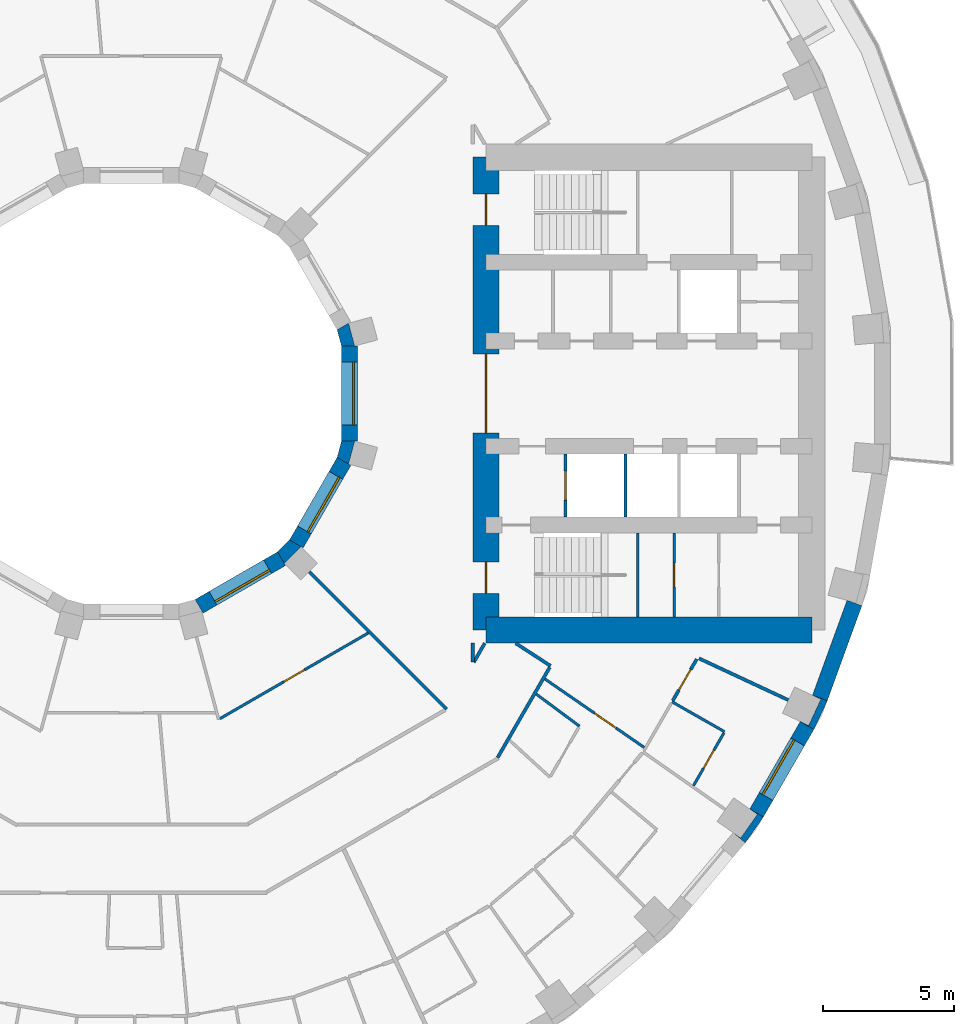
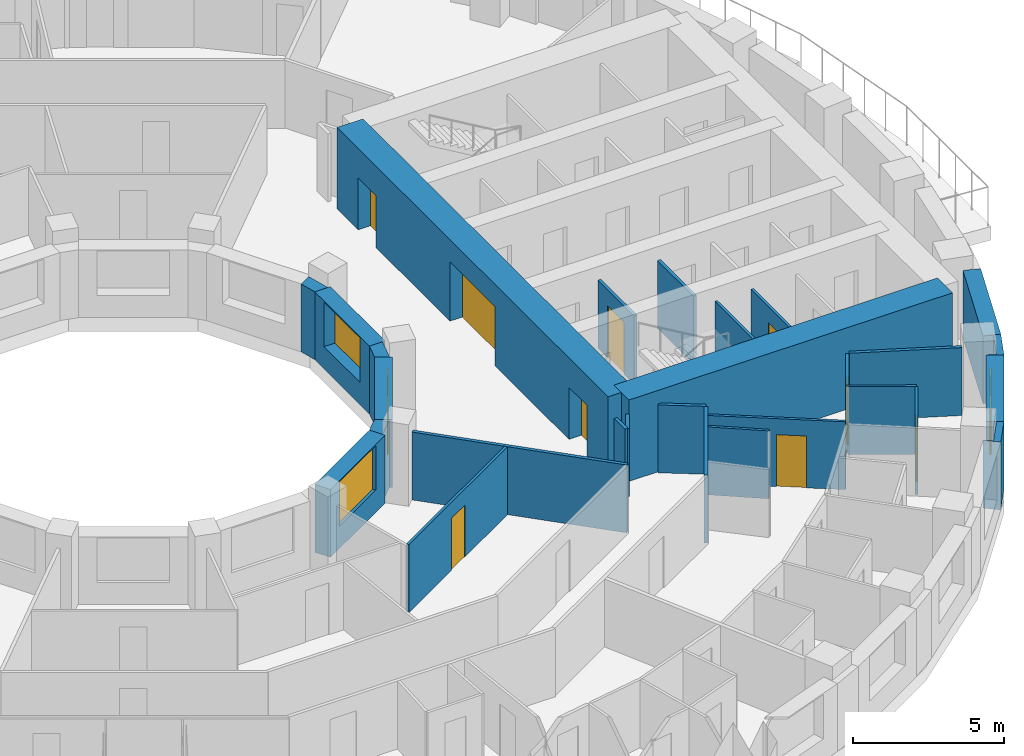
# One storey, part 8 of 15: 28 walls, 9 doors, 4 windows, 13 openings.
"""IFC4 building model written with IfcOpenShell, lengths in metres."""

from ifc_helpers import new_model, si_unit, direction, frame, frame_2d, origin, place, context, subcontext, project, spatial, polyline, rectangle, outline, extrude, material, layer, layer_set, type_object, element, fill, save


model = new_model("IFC4")

# Units and contexts
model_context = context("Model", 3, precision=1e-05, world=origin(), true_north=direction((0.0, 1.0)))
body_context = subcontext(model_context, "Body", "Model", "MODEL_VIEW")
ifc_project = project(units=[si_unit("LENGTHUNIT", "METRE"), si_unit("AREAUNIT", "SQUARE_METRE"), si_unit("VOLUMEUNIT", "CUBIC_METRE"), si_unit("PLANEANGLEUNIT", "RADIAN"), si_unit("MASSUNIT", "GRAM", prefix="KILO")], contexts=[model_context])

# Site, building, storey
site_placement = place(None, origin())
site = spatial("IfcSite", under=ifc_project, at=site_placement, CompositionType="ELEMENT")
building_placement = place(site_placement, origin())
building = spatial("IfcBuilding", under=site, at=building_placement, Name="Saqina Gate Tower", CompositionType="ELEMENT")
storey_placement = place(building_placement, frame((0.0, 0.0, 62.60009765625)))
storey = spatial("IfcBuildingStorey", under=building, at=storey_placement, Name="L17", CompositionType="ELEMENT", Elevation=62.60009765625)

# Walls
ifc_material_1 = material(Name="Brick masonry (red)", Category="masonry")
wall_type_1 = type_object("IfcWallType", Name="BRICK PIER COPING RED", PredefinedType="SOLIDWALL", material=ifc_material_1)
wall_1_placement = place(storey_placement, origin())
element("IfcWall", 1, at=wall_1_placement, inside=storey, type_object=wall_type_1, Name="Pier cap L17 column 33", PredefinedType="SOLIDWALL", context=body_context, shape_type="SweptSolid", body=[
    extrude(outline(polyline([(23.36669921875, -17.096923828125), (24.0576171875, -16.110107421875), (23.5380859375, -15.81005859375), (23.8251953125, -16.010986328125), (23.194091796875, -16.912109375), (22.9072265625, -16.711181640625), (23.36669921875, -17.096923828125)])), origin(), (0.0, 0.0, 1.0), 2.75),
])
wall_2_placement = place(storey_placement, origin())
element("IfcWall", 2, at=wall_2_placement, inside=storey, type_object=wall_type_1, Name="Pier cap L17 column 34", PredefinedType="SOLIDWALL", context=body_context, shape_type="SweptSolid", body=[
    extrude(outline(polyline([(26.48974609375, -11.687744140625), (25.92578125, -11.482666015625), (26.243408203125, -11.630615234375), (25.778564453125, -12.627685546875), (25.4609375, -12.4794921875), (25.980712890625, -12.779541015625), (26.48974609375, -11.687744140625)])), origin(), (0.0, 0.0, 1.0), 2.75),
])

# Wall, opening, door
ifc_material_2 = material(Name="Gypsum board on steel studs", Category="steel")
ifc_layer_1 = layer(ifc_material_2, 0.10009765625)
ifc_layer_set_1 = layer_set([ifc_layer_1], Name="CORE PARTITION")
wall_type_2 = type_object("IfcWallType", Name="CORE PARTITION", PredefinedType="PARTITIONING", material=ifc_layer_set_1)
wall_3_placement = place(storey_placement, frame((20.65771484375, -8.5, 0.0), z_axis=(0.0, 0.0, 1.0), x_axis=(0.0, 1.0, 0.0)))
wall_3 = element("IfcWall", 3, at=wall_3_placement, inside=storey, type_object=wall_type_2, Name="L17-CP-E13", PredefinedType="PARTITIONING", context=body_context, shape_type="SweptSolid", body=[
    extrude(rectangle(XDim=3.199951171875, YDim=0.10009765625, at=frame_2d((1.60009765625, 0.0))), origin(), (0.0, 0.0, 1.0), 2.75),
])
opening_1_placement = place(wall_3_placement, frame((1.14990234375, 0.0, 0.0)))
opening_1 = element("IfcOpeningElement", 4, at=opening_1_placement, cuts=wall_3, Name="Opening G04-D100", PredefinedType="OPENING", context=body_context, shape_type="SweptSolid", body=[
    extrude(rectangle(XDim=0.89990234375, YDim=2.10009765625, at=frame_2d((0.449951171875, 1.050048828125))), frame((0.0, 0.06201171875, 0.0), z_axis=(0.0, -1.0, 0.0), x_axis=(1.0, 0.0, 0.0)), (0.0, 0.0, 1.0), 0.1240234375),
])
ifc_material_3 = material(Name="Steel-framed fire door leaf, EI 60", Category="steel")
door_type_1 = type_object("IfcDoorType", Name="SERVICE ROOM DOOR 900", OperationType="SINGLE_SWING_LEFT", PredefinedType="DOOR", material=ifc_material_3)
door_1_placement = place(opening_1_placement, frame((0.89990234375, 0.0, 0.0), z_axis=(0.0, 0.0, 1.0), x_axis=(-1.0, 0.0, 0.0)))
door_1 = element("IfcDoor", 5, at=door_1_placement, inside=storey, type_object=door_type_1, Name="L17-CD-E11", OperationType="SINGLE_SWING_RIGHT", OverallHeight=2.10009765625, OverallWidth=0.89990234375, PredefinedType="DOOR", context=body_context, shape_type="SweptSolid", body=[
    extrude(rectangle(XDim=0.89990234375, YDim=2.10009765625, at=frame_2d((0.449951171875, 1.050048828125))), frame((0.0, 0.02490234375, 0.0), z_axis=(0.0, -1.0, 0.0), x_axis=(1.0, 0.0, 0.0)), (0.0, 0.0, 1.0), 0.050048828125),
])
fill(opening_1, door_1)

# Wall, opening, window
ifc_material_4 = material(Name="Brick masonry (red)", Category="masonry")
ifc_layer_2 = layer(ifc_material_4, 0.60009765625)
ifc_layer_set_2 = layer_set([ifc_layer_2], Name="FW-BRICK-RED")
wall_type_3 = type_object("IfcWallType", Name="FW-BRICK-RED", PredefinedType="SOLIDWALL", material=ifc_layer_set_2)
wall_4_placement = place(storey_placement, frame((23.7978515625, -15.960205078125, 0.0), z_axis=(0.0, 0.0, 1.0), x_axis=(0.499989888488, 0.86603124159, 0.0)))
wall_4 = element("IfcWall", 6, at=wall_4_placement, inside=storey, type_object=wall_type_3, Name="Facade wall L17 facet 33", PredefinedType="SOLIDWALL", context=body_context, shape_type="SweptSolid", body=[
    extrude(rectangle(XDim=3.845703125, YDim=0.60009765625, at=frame_2d((1.9228515625, 0.0))), origin(), (0.0, 0.0, 1.0), 2.75),
])
opening_2_placement = place(wall_4_placement, frame((0.722900390625, 0.0, 0.89990234375)))
opening_2 = element("IfcOpeningElement", 7, at=opening_2_placement, cuts=wall_4, Name="Opening G04-W23", PredefinedType="OPENING", context=body_context, shape_type="SweptSolid", body=[
    extrude(rectangle(XDim=2.39990234375, YDim=1.800048828125, at=frame_2d((1.199951171875, 0.89990234375))), frame((0.0, 0.31201171875, 0.0), z_axis=(0.0, -1.0, 0.0), x_axis=(1.0, 0.0, 0.0)), (0.0, 0.0, 1.0), 0.6240234375),
])
ifc_material_5 = material(Name="Aluminium glazing", Category="aluminium")
window_type_1 = type_object("IfcWindowType", Name="WN-A", PartitioningType="SINGLE_PANEL", PredefinedType="WINDOW", material=ifc_material_5)
window_1_placement = place(opening_2_placement, origin())
window_1 = element("IfcWindow", 8, at=window_1_placement, inside=storey, type_object=window_type_1, Name="Window L17 facet 33", OverallHeight=1.800048828125, OverallWidth=2.39990234375, PartitioningType="SINGLE_PANEL", PredefinedType="WINDOW", context=body_context, shape_type="SweptSolid", body=[
    extrude(rectangle(XDim=2.39990234375, YDim=1.800048828125, at=frame_2d((1.199951171875, 0.89990234375))), frame((0.0, 0.179931640625, 0.0), z_axis=(0.0, -1.0, 0.0), x_axis=(1.0, 0.0, 0.0)), (0.0, 0.0, 1.0), 0.06005859375),
])
fill(opening_2, window_1)

# Wall
ifc_material_6 = material(Name="Glazed ceramic tile", Category="ceramic")
ifc_layer_3 = layer(ifc_material_6, 0.60009765625)
ifc_layer_set_3 = layer_set([ifc_layer_3], Name="FW-TILE")
wall_type_4 = type_object("IfcWallType", Name="FW-TILE", PredefinedType="SOLIDWALL", material=ifc_layer_set_3)
wall_5_placement = place(storey_placement, frame((26.207763671875, -11.585205078125, 0.0), z_axis=(0.0, 0.0, 1.0), x_axis=(0.342028474173, 0.939689588564, 0.0)))
element("IfcWall", 9, at=wall_5_placement, inside=storey, type_object=wall_type_4, Name="Facade wall L17 facet 34", PredefinedType="SOLIDWALL", context=body_context, shape_type="SweptSolid", body=[
    extrude(rectangle(XDim=3.845947265625, YDim=0.60009765625, at=frame_2d((1.9228515625, 0.0))), origin(), (0.0, 0.0, 1.0), 2.75),
])

# Wall, opening, window
ifc_material_7 = material(Name="Glazed ceramic tile", Category="ceramic")
ifc_layer_4 = layer(ifc_material_7, 0.60009765625)
ifc_layer_set_4 = layer_set([ifc_layer_4], Name="IW-TILE")
wall_type_5 = type_object("IfcWallType", Name="IW-TILE", PredefinedType="SOLIDWALL", material=ifc_layer_set_4)
wall_6_placement = place(storey_placement, frame((2.580322265625, -8.09423828125, 0.0), z_axis=(0.0, 0.0, 1.0), x_axis=(0.866029693906, 0.499992569217, 0.0)))
wall_6 = element("IfcWall", 10, at=wall_6_placement, inside=storey, type_object=wall_type_5, Name="Well wall L17 facet 10", PredefinedType="SOLIDWALL", context=body_context, shape_type="SweptSolid", body=[
    extrude(rectangle(XDim=3.625, YDim=0.60009765625, at=frame_2d((1.8125, 0.0))), origin(), (0.0, 0.0, 1.0), 2.75),
])
opening_3_placement = place(wall_6_placement, frame((0.612548828125, 0.0, 0.89990234375)))
opening_3 = element("IfcOpeningElement", 11, at=opening_3_placement, cuts=wall_6, Name="Opening G04-W33", PredefinedType="OPENING", context=body_context, shape_type="SweptSolid", body=[
    extrude(rectangle(XDim=2.39990234375, YDim=1.800048828125, at=frame_2d((1.199951171875, 0.89990234375))), frame((0.0, 0.31201171875, 0.0), z_axis=(0.0, -1.0, 0.0), x_axis=(1.0, 0.0, 0.0)), (0.0, 0.0, 1.0), 0.6240234375),
])
ifc_material_8 = material(Name="Aluminium glazing", Category="aluminium")
window_type_2 = type_object("IfcWindowType", Name="WN-W", PartitioningType="SINGLE_PANEL", PredefinedType="WINDOW", material=ifc_material_8)
window_2_placement = place(opening_3_placement, origin())
window_2 = element("IfcWindow", 12, at=window_2_placement, inside=storey, type_object=window_type_2, Name="Well window L17 facet 10", OverallHeight=1.800048828125, OverallWidth=2.39990234375, PartitioningType="SINGLE_PANEL", PredefinedType="WINDOW", context=body_context, shape_type="SweptSolid", body=[
    extrude(rectangle(XDim=2.39990234375, YDim=1.800048828125, at=frame_2d((1.199951171875, 0.89990234375))), frame((0.0, -0.119873046875, 0.0), z_axis=(0.0, -1.0, 0.0), x_axis=(1.0, 0.0, 0.0)), (0.0, 0.0, 1.0), 0.06005859375),
])
fill(opening_3, window_2)

wall_7_placement = place(storey_placement, frame((6.28173828125, -5.7197265625, 0.0), z_axis=(0.0, 0.0, 1.0), x_axis=(0.499992569217, 0.866029693906, 0.0)))
wall_7 = element("IfcWall", 13, at=wall_7_placement, inside=storey, type_object=wall_type_5, Name="Well wall L17 facet 11", PredefinedType="SOLIDWALL", context=body_context, shape_type="SweptSolid", body=[
    extrude(rectangle(XDim=3.625, YDim=0.60009765625, at=frame_2d((1.8125, 0.0))), origin(), (0.0, 0.0, 1.0), 2.75),
])
opening_4_placement = place(wall_7_placement, frame((0.612548828125, 0.0, 0.89990234375)))
opening_4 = element("IfcOpeningElement", 14, at=opening_4_placement, cuts=wall_7, Name="Opening G04-W34", PredefinedType="OPENING", context=body_context, shape_type="SweptSolid", body=[
    extrude(rectangle(XDim=2.39990234375, YDim=1.800048828125, at=frame_2d((1.199951171875, 0.89990234375))), frame((0.0, 0.31201171875, 0.0), z_axis=(0.0, -1.0, 0.0), x_axis=(1.0, 0.0, 0.0)), (0.0, 0.0, 1.0), 0.6240234375),
])
window_3_placement = place(opening_4_placement, origin())
window_3 = element("IfcWindow", 15, at=window_3_placement, inside=storey, type_object=window_type_2, Name="Well window L17 facet 11", OverallHeight=1.800048828125, OverallWidth=2.39990234375, PartitioningType="SINGLE_PANEL", PredefinedType="WINDOW", context=body_context, shape_type="SweptSolid", body=[
    extrude(rectangle(XDim=2.39990234375, YDim=1.800048828125, at=frame_2d((1.199951171875, 0.89990234375))), frame((0.0, -0.119873046875, 0.0), z_axis=(0.0, -1.0, 0.0), x_axis=(1.0, 0.0, 0.0)), (0.0, 0.0, 1.0), 0.06005859375),
])
fill(opening_4, window_3)

wall_8_placement = place(storey_placement, frame((8.300048828125, -1.8125, 0.0), z_axis=(0.0, 0.0, 1.0), x_axis=(0.0, 1.0, 0.0)))
wall_8 = element("IfcWall", 16, at=wall_8_placement, inside=storey, type_object=wall_type_5, Name="Well wall L17 facet 12", PredefinedType="SOLIDWALL", context=body_context, shape_type="SweptSolid", body=[
    extrude(rectangle(XDim=3.625, YDim=0.60009765625, at=frame_2d((1.8125, 0.0))), origin(), (0.0, 0.0, 1.0), 2.75),
])
opening_5_placement = place(wall_8_placement, frame((0.612548828125, 0.0, 0.89990234375)))
opening_5 = element("IfcOpeningElement", 17, at=opening_5_placement, cuts=wall_8, Name="Opening G04-W35", PredefinedType="OPENING", context=body_context, shape_type="SweptSolid", body=[
    extrude(rectangle(XDim=2.39990234375, YDim=1.800048828125, at=frame_2d((1.199951171875, 0.89990234375))), frame((0.0, 0.31201171875, 0.0), z_axis=(0.0, -1.0, 0.0), x_axis=(1.0, 0.0, 0.0)), (0.0, 0.0, 1.0), 0.6240234375),
])
window_4_placement = place(opening_5_placement, origin())
window_4 = element("IfcWindow", 18, at=window_4_placement, inside=storey, type_object=window_type_2, Name="Well window L17 facet 12", OverallHeight=1.800048828125, OverallWidth=2.39990234375, PartitioningType="SINGLE_PANEL", PredefinedType="WINDOW", context=body_context, shape_type="SweptSolid", body=[
    extrude(rectangle(XDim=2.39990234375, YDim=1.800048828125, at=frame_2d((1.199951171875, 0.89990234375))), frame((0.0, -0.119873046875, 0.0), z_axis=(0.0, -1.0, 0.0), x_axis=(1.0, 0.0, 0.0)), (0.0, 0.0, 1.0), 0.06005859375),
])
fill(opening_5, window_4)

# Wall
ifc_material_9 = material(Name="Gypsum board on steel studs, 100 mm", Category="steel")
ifc_layer_5 = layer(ifc_material_9, 0.10009765625)
ifc_layer_set_5 = layer_set([ifc_layer_5], Name="PARTITION 100")
wall_type_6 = type_object("IfcWallType", Name="PARTITION 100", PredefinedType="PARTITIONING", material=ifc_layer_set_5)
wall_9_placement = place(storey_placement, frame((15.41015625, -11.433349609375, 0.0), z_axis=(0.0, 0.0, 1.0), x_axis=(0.802890347471, -0.596126739827, 0.0)))
element("IfcWall", 19, at=wall_9_placement, inside=storey, type_object=wall_type_6, Name="PARTITION PW3-35", PredefinedType="PARTITIONING", context=body_context, shape_type="SweptSolid", body=[
    extrude(rectangle(XDim=2.051025390625, YDim=0.10009765625, at=frame_2d((1.025390625, 0.0))), origin(), (0.0, 0.0, 1.0), 2.75),
])

# Wall, opening, door
wall_10_placement = place(storey_placement, frame((15.74169921875, -10.859619140625, 0.0), z_axis=(0.0, 0.0, 1.0), x_axis=(0.823211072174, -0.56773544072, 0.0)))
wall_10 = element("IfcWall", 20, at=wall_10_placement, inside=storey, type_object=wall_type_6, Name="PARTITION PW3-38", PredefinedType="PARTITIONING", context=body_context, shape_type="SweptSolid", body=[
    extrude(rectangle(XDim=4.591796875, YDim=0.10009765625, at=frame_2d((2.2958984375, 0.0))), origin(), (0.0, 0.0, 1.0), 2.75),
])
opening_6_placement = place(wall_10_placement, frame((2.28955078125, 0.0, 0.0)))
opening_6 = element("IfcOpeningElement", 21, at=opening_6_placement, cuts=wall_10, Name="Opening G04-D66", PredefinedType="OPENING", context=body_context, shape_type="SweptSolid", body=[
    extrude(rectangle(XDim=1.0, YDim=2.10009765625, at=frame_2d((0.5, 1.050048828125))), frame((0.0, 0.06201171875, 0.0), z_axis=(0.0, -1.0, 0.0), x_axis=(1.0, 0.0, 0.0)), (0.0, 0.0, 1.0), 0.1240234375),
])
ifc_material_10 = material(Name="Timber door leaf, 1000 mm", Category="wood")
door_type_2 = type_object("IfcDoorType", Name="DOOR 1000 TIMBER", OperationType="SINGLE_SWING_LEFT", PredefinedType="DOOR", material=ifc_material_10)
door_2_placement = place(opening_6_placement, frame((1.0, 0.0, 0.0), z_axis=(0.0, 0.0, 1.0), x_axis=(-1.0, 0.0, 0.0)))
door_2 = element("IfcDoor", 22, at=door_2_placement, inside=storey, type_object=door_type_2, Name="DOOR G04-D66", OperationType="SINGLE_SWING_RIGHT", OverallHeight=2.10009765625, OverallWidth=1.0, PredefinedType="DOOR", context=body_context, shape_type="SweptSolid", body=[
    extrude(rectangle(XDim=1.0, YDim=2.10009765625, at=frame_2d((0.5, 1.050048828125))), frame((0.0, 0.02490234375, 0.0), z_axis=(0.0, -1.0, 0.0), x_axis=(1.0, 0.0, 0.0)), (0.0, 0.0, 1.0), 0.050048828125),
])
fill(opening_6, door_2)

# Wall
wall_11_placement = place(storey_placement, frame((20.58203125, -11.72998046875, 0.0), z_axis=(0.0, 0.0, 1.0), x_axis=(0.868771789729, -0.495212658735, 0.0)))
element("IfcWall", 23, at=wall_11_placement, inside=storey, type_object=wall_type_6, Name="PARTITION PW3-46", PredefinedType="PARTITIONING", context=body_context, shape_type="SweptSolid", body=[
    extrude(rectangle(XDim=2.2998046875, YDim=0.10009765625, at=frame_2d((1.14990234375, 0.0))), origin(), (0.0, 0.0, 1.0), 2.75),
])

# Wall, opening, door
wall_12_placement = place(storey_placement, frame((3.3662109375, -12.375, 0.0), z_axis=(0.0, 0.0, 1.0), x_axis=(0.86596399252, 0.500106352348, 0.0)))
wall_12 = element("IfcWall", 24, at=wall_12_placement, inside=storey, type_object=wall_type_6, Name="PARTITION PW3-74", PredefinedType="PARTITIONING", context=body_context, shape_type="SweptSolid", body=[
    extrude(rectangle(XDim=6.5322265625, YDim=0.10009765625, at=frame_2d((3.26611328125, 0.0))), origin(), (0.0, 0.0, 1.0), 2.75),
])
opening_7_placement = place(wall_12_placement, frame((2.822265625, 0.0, 0.0)))
opening_7 = element("IfcOpeningElement", 25, at=opening_7_placement, cuts=wall_12, Name="Opening G04-D57", PredefinedType="OPENING", context=body_context, shape_type="SweptSolid", body=[
    extrude(rectangle(XDim=0.89990234375, YDim=2.10009765625, at=frame_2d((0.449951171875, 1.050048828125))), frame((0.0, 0.06201171875, 0.0), z_axis=(0.0, -1.0, 0.0), x_axis=(1.0, 0.0, 0.0)), (0.0, 0.0, 1.0), 0.1240234375),
])
ifc_material_11 = material(Name="Timber door leaf, 900 mm", Category="wood")
door_type_3 = type_object("IfcDoorType", Name="DOOR 900 TIMBER", OperationType="SINGLE_SWING_LEFT", PredefinedType="DOOR", material=ifc_material_11)
door_3_placement = place(opening_7_placement, frame((0.89990234375, 0.0, 0.0), z_axis=(0.0, 0.0, 1.0), x_axis=(-1.0, 0.0, 0.0)))
door_3 = element("IfcDoor", 26, at=door_3_placement, inside=storey, type_object=door_type_3, Name="DOOR G04-D57", OperationType="SINGLE_SWING_LEFT", OverallHeight=2.10009765625, OverallWidth=0.89990234375, PredefinedType="DOOR", context=body_context, shape_type="SweptSolid", body=[
    extrude(rectangle(XDim=0.89990234375, YDim=2.10009765625, at=frame_2d((0.449951171875, 1.050048828125))), frame((0.0, 0.02490234375, 0.0), z_axis=(0.0, -1.0, 0.0), x_axis=(1.0, 0.0, 0.0)), (0.0, 0.0, 1.0), 0.050048828125),
])
fill(opening_7, door_3)

wall_13_placement = place(storey_placement, frame((21.39599609375, -14.920654296875, 0.0), z_axis=(0.0, 0.0, 1.0), x_axis=(0.499819678633, 0.866129487347, 0.0)))
wall_13 = element("IfcWall", 27, at=wall_13_placement, inside=storey, type_object=wall_type_6, Name="PARTITION PW3-91", PredefinedType="PARTITIONING", context=body_context, shape_type="SweptSolid", body=[
    extrude(rectangle(XDim=2.318603515625, YDim=0.10009765625, at=frame_2d((1.1591796875, 0.0))), origin(), (0.0, 0.0, 1.0), 2.75),
])
opening_8_placement = place(wall_13_placement, frame((0.759521484375, 0.0, 0.0)))
opening_8 = element("IfcOpeningElement", 28, at=opening_8_placement, cuts=wall_13, Name="Opening G04-D67", PredefinedType="OPENING", context=body_context, shape_type="SweptSolid", body=[
    extrude(rectangle(XDim=0.800048828125, YDim=2.10009765625, at=frame_2d((0.39990234375, 1.050048828125))), frame((0.0, 0.06201171875, 0.0), z_axis=(0.0, -1.0, 0.0), x_axis=(1.0, 0.0, 0.0)), (0.0, 0.0, 1.0), 0.1240234375),
])
ifc_material_12 = material(Name="Timber door leaf, 800 mm", Category="wood")
door_type_4 = type_object("IfcDoorType", Name="DOOR 800 TIMBER", OperationType="SINGLE_SWING_LEFT", PredefinedType="DOOR", material=ifc_material_12)
door_4_placement = place(opening_8_placement, frame((0.800048828125, 0.0, 0.0), z_axis=(0.0, 0.0, 1.0), x_axis=(-1.0, 0.0, 0.0)))
door_4 = element("IfcDoor", 29, at=door_4_placement, inside=storey, type_object=door_type_4, Name="DOOR G04-D67", OperationType="SINGLE_SWING_RIGHT", OverallHeight=2.10009765625, OverallWidth=0.800048828125, PredefinedType="DOOR", context=body_context, shape_type="SweptSolid", body=[
    extrude(rectangle(XDim=0.800048828125, YDim=2.10009765625, at=frame_2d((0.39990234375, 1.050048828125))), frame((0.0, 0.02490234375, 0.0), z_axis=(0.0, -1.0, 0.0), x_axis=(1.0, 0.0, 0.0)), (0.0, 0.0, 1.0), 0.050048828125),
])
fill(opening_8, door_4)

# Walls
ifc_material_13 = material(Name="Gypsum board on steel studs, 125 mm, fire rated", Category="steel")
ifc_layer_6 = layer(ifc_material_13, 0.125)
ifc_layer_set_6 = layer_set([ifc_layer_6], Name="PARTITION EI 30 125")
wall_type_7 = type_object("IfcWallType", Name="PARTITION EI 30 125", PredefinedType="PARTITIONING", material=ifc_layer_set_6)
wall_14_placement = place(storey_placement, frame((6.78271484375, -6.78271484375, 0.0), z_axis=(0.0, 0.0, 1.0), x_axis=(0.707106781187, -0.707106781187, 0.0)))
element("IfcWall", 30, at=wall_14_placement, inside=storey, type_object=wall_type_7, Name="PARTITION PW1-06", PredefinedType="PARTITIONING", context=body_context, shape_type="SweptSolid", body=[
    extrude(rectangle(XDim=7.386962890625, YDim=0.125, at=frame_2d((3.693359375, 0.0))), origin(), (0.0, 0.0, 1.0), 2.75),
])
wall_15_placement = place(storey_placement, frame((14.62890625, -9.5, 0.0), z_axis=(0.0, 0.0, 1.0), x_axis=(0.838795721465, -0.544446267002, 0.0)))
element("IfcWall", 31, at=wall_15_placement, inside=storey, type_object=wall_type_7, Name="PARTITION PW1-09", PredefinedType="PARTITIONING", context=body_context, shape_type="SweptSolid", body=[
    extrude(rectangle(XDim=1.583251953125, YDim=0.125, at=frame_2d((0.79150390625, 0.0))), origin(), (0.0, 0.0, 1.0), 2.75),
])
wall_16_placement = place(storey_placement, frame((21.607666015625, -10.078369140625, 0.0), z_axis=(0.0, 0.0, 1.0), x_axis=(0.906339528383, -0.42255018553, 0.0)))
element("IfcWall", 32, at=wall_16_placement, inside=storey, type_object=wall_type_7, Name="PARTITION PW1-16", PredefinedType="PARTITIONING", context=body_context, shape_type="SweptSolid", body=[
    extrude(rectangle(XDim=3.74755859375, YDim=0.125, at=frame_2d((1.873779296875, 0.0))), origin(), (0.0, 0.0, 1.0), 2.75),
])

# Wall, opening, door
wall_17_placement = place(storey_placement, frame((20.60693359375, -11.686767578125, 0.0), z_axis=(0.0, 0.0, 1.0), x_axis=(0.500003827654, 0.866023193876, 0.0)))
wall_17 = element("IfcWall", 33, at=wall_17_placement, inside=storey, type_object=wall_type_7, Name="PARTITION PW1-46", PredefinedType="PARTITIONING", context=body_context, shape_type="SweptSolid", body=[
    extrude(rectangle(XDim=1.82763671875, YDim=0.125, at=frame_2d((0.913818359375, 0.0))), origin(), (0.0, 0.0, 1.0), 2.75),
])
opening_9_placement = place(wall_17_placement, frame((0.46875, 0.0, 0.0)))
opening_9 = element("IfcOpeningElement", 34, at=opening_9_placement, cuts=wall_17, Name="Opening G04-D68", PredefinedType="OPENING", context=body_context, shape_type="SweptSolid", body=[
    extrude(rectangle(XDim=0.89990234375, YDim=2.10009765625, at=frame_2d((0.449951171875, 1.050048828125))), frame((0.0, 0.074462890625, 0.0), z_axis=(0.0, -1.0, 0.0), x_axis=(1.0, 0.0, 0.0)), (0.0, 0.0, 1.0), 0.14892578125),
])
ifc_material_14 = material(Name="Fire door leaf EI 30, 900 mm")
door_type_5 = type_object("IfcDoorType", Name="DOOR 900 EI 30", OperationType="SINGLE_SWING_LEFT", PredefinedType="DOOR", material=ifc_material_14)
door_5_placement = place(opening_9_placement, origin())
door_5 = element("IfcDoor", 35, at=door_5_placement, inside=storey, type_object=door_type_5, Name="DOOR G04-D68", OperationType="SINGLE_SWING_RIGHT", OverallHeight=2.10009765625, OverallWidth=0.89990234375, PredefinedType="DOOR", context=body_context, shape_type="SweptSolid", body=[
    extrude(rectangle(XDim=0.89990234375, YDim=2.10009765625, at=frame_2d((0.449951171875, 1.050048828125))), frame((0.0, 0.02490234375, 0.0), z_axis=(0.0, -1.0, 0.0), x_axis=(1.0, 0.0, 0.0)), (0.0, 0.0, 1.0), 0.050048828125),
])
fill(opening_9, door_5)

# Walls
wall_18_placement = place(storey_placement, frame((13.940185546875, -13.85498046875, 0.0), z_axis=(0.0, 0.0, 1.0), x_axis=(0.500020477838, 0.866013580576, 0.0)))
element("IfcWall", 36, at=wall_18_placement, inside=storey, type_object=wall_type_7, Name="PARTITION PW1-47", PredefinedType="PARTITIONING", context=body_context, shape_type="SweptSolid", body=[
    extrude(rectangle(XDim=3.970947265625, YDim=0.125, at=frame_2d((1.9853515625, 0.0))), origin(), (0.0, 0.0, 1.0), 2.75),
])
wall_19_placement = place(storey_placement, frame((13.034912109375, -10.222412109375, 0.0), z_axis=(0.0, 0.0, 1.0), x_axis=(0.49991670217, 0.866073490468, 0.0)))
element("IfcWall", 37, at=wall_19_placement, inside=storey, type_object=wall_type_7, Name="PARTITION PW1-48", PredefinedType="PARTITIONING", context=body_context, shape_type="SweptSolid", body=[
    extrude(rectangle(XDim=0.834228515625, YDim=0.125, at=frame_2d((0.4169921875, 0.0))), origin(), (0.0, 0.0, 1.0), 2.75),
])
wall_20_placement = place(storey_placement, frame((13.0, -10.220458984375, 0.0), z_axis=(0.0, 0.0, 1.0), x_axis=(0.0, 1.0, 0.0)))
element("IfcWall", 38, at=wall_20_placement, inside=storey, type_object=wall_type_7, Name="PARTITION PW1-52", PredefinedType="PARTITIONING", context=body_context, shape_type="SweptSolid", body=[
    extrude(rectangle(XDim=0.720458984375, YDim=0.125, at=frame_2d((0.3603515625, 0.0))), origin(), (0.0, 0.0, 1.0), 2.75),
])

# Wall, opening, door
ifc_material_15 = material(Name="Autoclaved aerated concrete block", Category="concrete")
ifc_layer_7 = layer(ifc_material_15, 0.1201171875)
ifc_layer_set_7 = layer_set([ifc_layer_7], Name="SHAFT PARTITION")
wall_type_8 = type_object("IfcWallType", Name="SHAFT PARTITION", PredefinedType="PARTITIONING", material=ifc_layer_set_7)
wall_21_placement = place(storey_placement, frame((16.530029296875, -4.699951171875, 0.0), z_axis=(0.0, 0.0, 1.0), x_axis=(0.0, 1.0, 0.0)))
wall_21 = element("IfcWall", 39, at=wall_21_placement, inside=storey, type_object=wall_type_8, Name="L17-CP-E05", PredefinedType="PARTITIONING", context=body_context, shape_type="SweptSolid", body=[
    extrude(rectangle(XDim=2.39990234375, YDim=0.1201171875, at=frame_2d((1.199951171875, 0.0))), origin(), (0.0, 0.0, 1.0), 2.75),
])
opening_10_placement = place(wall_21_placement, frame((0.64990234375, 0.0, 0.0)))
opening_10 = element("IfcOpeningElement", 40, at=opening_10_placement, cuts=wall_21, Name="Opening G04-LD2", PredefinedType="OPENING", context=body_context, shape_type="SweptSolid", body=[
    extrude(rectangle(XDim=1.10009765625, YDim=2.10009765625, at=frame_2d((0.550048828125, 1.050048828125))), frame((0.0, 0.072021484375, 0.0), z_axis=(0.0, -1.0, 0.0), x_axis=(1.0, 0.0, 0.0)), (0.0, 0.0, 1.0), 0.14404296875),
])
ifc_material_16 = material(Name="Stainless steel", Category="steel")
door_type_6 = type_object("IfcDoorType", Name="LANDING DOOR", OperationType="DOUBLE_DOOR_SLIDING", PredefinedType="DOOR", material=ifc_material_16)
door_6_placement = place(opening_10_placement, origin())
door_6 = element("IfcDoor", 41, at=door_6_placement, inside=storey, type_object=door_type_6, Name="LANDING DOOR FF1", OperationType="DOUBLE_DOOR_SLIDING", OverallHeight=2.10009765625, OverallWidth=1.10009765625, PredefinedType="DOOR", context=body_context, shape_type="SweptSolid", body=[
    extrude(rectangle(XDim=1.10009765625, YDim=2.10009765625, at=frame_2d((0.550048828125, 1.050048828125))), frame((0.0, 0.02490234375, 0.0), z_axis=(0.0, -1.0, 0.0), x_axis=(1.0, 0.0, 0.0)), (0.0, 0.0, 1.0), 0.050048828125),
])
fill(opening_10, door_6)

# Walls
wall_22_placement = place(storey_placement, frame((18.81005859375, -4.699951171875, 0.0), z_axis=(0.0, 0.0, 1.0), x_axis=(0.0, 1.0, 0.0)))
element("IfcWall", 42, at=wall_22_placement, inside=storey, type_object=wall_type_8, Name="L17-CP-E06", PredefinedType="PARTITIONING", context=body_context, shape_type="SweptSolid", body=[
    extrude(rectangle(XDim=2.39990234375, YDim=0.1201171875, at=frame_2d((1.199951171875, 0.0))), origin(), (0.0, 0.0, 1.0), 2.75),
])
ifc_material_17 = material(Name="Autoclaved aerated concrete block", Category="concrete")
ifc_layer_8 = layer(ifc_material_17, 0.10009765625)
ifc_layer_set_8 = layer_set([ifc_layer_8], Name="STAIR ENCLOSURE WALL")
wall_type_9 = type_object("IfcWallType", Name="STAIR ENCLOSURE WALL", PredefinedType="PARTITIONING", material=ifc_layer_set_8)
wall_23_placement = place(storey_placement, frame((19.27001953125, -8.5, 0.0), z_axis=(0.0, 0.0, 1.0), x_axis=(0.0, 1.0, 0.0)))
element("IfcWall", 43, at=wall_23_placement, inside=storey, type_object=wall_type_9, Name="L17-CP-E12", PredefinedType="PARTITIONING", context=body_context, shape_type="SweptSolid", body=[
    extrude(rectangle(XDim=3.199951171875, YDim=0.10009765625, at=frame_2d((1.60009765625, 0.0))), origin(), (0.0, 0.0, 1.0), 2.75),
])

# Wall, openings, doors
ifc_material_18 = material(Name="Concrete C70/85", Category="concrete")
ifc_layer_9 = layer(ifc_material_18, 1.0)
ifc_layer_set_9 = layer_set([ifc_layer_9], Name="Concrete C70/85")
wall_type_10 = type_object("IfcWallType", Name="STR-CORE WALL-A-O", PredefinedType="SHEAR", material=ifc_layer_set_9)
wall_24_placement = place(storey_placement, frame((13.5, -9.0, 0.0), z_axis=(0.0, 0.0, 1.0), x_axis=(0.0, 1.0, 0.0)))
wall_24 = element("IfcWall", 44, at=wall_24_placement, inside=storey, type_object=wall_type_10, Name="CORE WALL L17 E-W1", PredefinedType="SHEAR", context=body_context, shape_type="SweptSolid", body=[
    extrude(rectangle(XDim=18.0, YDim=1.0, at=frame_2d((9.0, 0.0))), origin(), (0.0, 0.0, 1.0), 3.2998046875),
])
opening_11_placement = place(wall_24_placement, frame((15.39990234375, 0.0, 0.0)))
opening_11 = element("IfcOpeningElement", 45, at=opening_11_placement, cuts=wall_24, Name="Opening G04-D103", PredefinedType="OPENING", context=body_context, shape_type="SweptSolid", body=[
    extrude(rectangle(XDim=1.199951171875, YDim=2.10009765625, at=frame_2d((0.60009765625, 1.050048828125))), frame((0.0, 0.511962890625, 0.0), z_axis=(0.0, -1.0, 0.0), x_axis=(1.0, 0.0, 0.0)), (0.0, 0.0, 1.0), 1.02392578125),
])
opening_12_placement = place(wall_24_placement, frame((1.39990234375, 0.0, 0.0)))
opening_12 = element("IfcOpeningElement", 46, at=opening_12_placement, cuts=wall_24, Name="Opening G04-D104", PredefinedType="OPENING", context=body_context, shape_type="SweptSolid", body=[
    extrude(rectangle(XDim=1.199951171875, YDim=2.10009765625, at=frame_2d((0.60009765625, 1.050048828125))), frame((0.0, 0.511962890625, 0.0), z_axis=(0.0, -1.0, 0.0), x_axis=(1.0, 0.0, 0.0)), (0.0, 0.0, 1.0), 1.02392578125),
])
opening_13_placement = place(wall_24_placement, frame((7.5, 0.0, 0.0)))
opening_13 = element("IfcOpeningElement", 47, at=opening_13_placement, cuts=wall_24, Name="Opening G04-D105", PredefinedType="OPENING", context=body_context, shape_type="SweptSolid", body=[
    extrude(rectangle(XDim=3.0, YDim=2.39990234375, at=frame_2d((1.5, 1.199951171875))), frame((0.0, 0.511962890625, 0.0), z_axis=(0.0, -1.0, 0.0), x_axis=(1.0, 0.0, 0.0)), (0.0, 0.0, 1.0), 1.02392578125),
])
ifc_material_19 = material(Name="Steel", Category="steel")
door_type_7 = type_object("IfcDoorType", Name="FIRE DOOR EI 60", OperationType="SINGLE_SWING_LEFT", PredefinedType="DOOR", material=ifc_material_19)
door_7_placement = place(opening_11_placement, frame((1.199951171875, 0.0, 0.0), z_axis=(0.0, 0.0, 1.0), x_axis=(-1.0, 0.0, 0.0)))
door_7 = element("IfcDoor", 48, at=door_7_placement, inside=storey, type_object=door_type_7, Name="L17-CD-E14", OperationType="SINGLE_SWING_LEFT", OverallHeight=2.10009765625, OverallWidth=1.199951171875, PredefinedType="DOOR", context=body_context, shape_type="SweptSolid", body=[
    extrude(rectangle(XDim=1.199951171875, YDim=2.10009765625, at=frame_2d((0.60009765625, 1.050048828125))), frame((0.0, 0.02490234375, 0.0), z_axis=(0.0, -1.0, 0.0), x_axis=(1.0, 0.0, 0.0)), (0.0, 0.0, 1.0), 0.050048828125),
])
fill(opening_11, door_7)
door_8_placement = place(opening_12_placement, frame((1.199951171875, 0.0, 0.0), z_axis=(0.0, 0.0, 1.0), x_axis=(-1.0, 0.0, 0.0)))
door_8 = element("IfcDoor", 49, at=door_8_placement, inside=storey, type_object=door_type_7, Name="L17-CD-E15", OperationType="SINGLE_SWING_RIGHT", OverallHeight=2.10009765625, OverallWidth=1.199951171875, PredefinedType="DOOR", context=body_context, shape_type="SweptSolid", body=[
    extrude(rectangle(XDim=1.199951171875, YDim=2.10009765625, at=frame_2d((0.60009765625, 1.050048828125))), frame((0.0, 0.02490234375, 0.0), z_axis=(0.0, -1.0, 0.0), x_axis=(1.0, 0.0, 0.0)), (0.0, 0.0, 1.0), 0.050048828125),
])
fill(opening_12, door_8)
ifc_material_20 = material(Name="Steel and fire-resisting glass", Category="steel")
door_type_8 = type_object("IfcDoorType", Name="LOBBY SCREEN DOOR", OperationType="DOUBLE_DOOR_SLIDING", PredefinedType="DOOR", material=ifc_material_20)
door_9_placement = place(opening_13_placement, origin())
door_9 = element("IfcDoor", 50, at=door_9_placement, inside=storey, type_object=door_type_8, Name="L17-CD-E16", OperationType="DOUBLE_DOOR_SLIDING", OverallHeight=2.39990234375, OverallWidth=3.0, PredefinedType="DOOR", context=body_context, shape_type="SweptSolid", body=[
    extrude(rectangle(XDim=3.0, YDim=2.39990234375, at=frame_2d((1.5, 1.199951171875))), frame((0.0, 0.02490234375, 0.0), z_axis=(0.0, -1.0, 0.0), x_axis=(1.0, 0.0, 0.0)), (0.0, 0.0, 1.0), 0.050048828125),
])
fill(opening_13, door_9)

# Walls
wall_25_placement = place(storey_placement, frame((13.5, -9.0, 0.0), z_axis=(0.0, 0.0, 1.0), x_axis=(1.0, 0.0, 0.0)))
element("IfcWall", 51, at=wall_25_placement, inside=storey, type_object=wall_type_10, Name="CORE WALL L17 E-SE", PredefinedType="SHEAR", context=body_context, shape_type="SweptSolid", body=[
    extrude(rectangle(XDim=12.39990234375, YDim=1.0, at=frame_2d((6.199951171875, 0.0))), origin(), (0.0, 0.0, 1.0), 3.2998046875),
])
ifc_material_21 = material(Name="Glazed ceramic tile", Category="ceramic")
wall_type_11 = type_object("IfcWallType", Name="TILE PIER COPING", PredefinedType="SOLIDWALL", material=ifc_material_21)
wall_26_placement = place(storey_placement, origin())
element("IfcWall", 52, at=wall_26_placement, inside=storey, type_object=wall_type_11, Name="Well pier cap L17 column 1", PredefinedType="SOLIDWALL", context=body_context, shape_type="SweptSolid", body=[
    extrude(outline(polyline([(8.27001953125, 2.681884765625), (7.83447265625, 2.430419921875), (8.0, 1.8125), (8.502685546875, 1.8125), (8.27001953125, 2.681884765625)])), origin(), (0.0, 0.0, 1.0), 2.75),
])
wall_27_placement = place(storey_placement, origin())
element("IfcWall", 53, at=wall_27_placement, inside=storey, type_object=wall_type_11, Name="Well pier cap L17 column 11", PredefinedType="SOLIDWALL", context=body_context, shape_type="SweptSolid", body=[
    extrude(outline(polyline([(5.821044921875, -6.45751953125), (6.45751953125, -5.821044921875), (6.02197265625, -5.569580078125), (5.569580078125, -6.02197265625), (5.821044921875, -6.45751953125)])), origin(), (0.0, 0.0, 1.0), 2.75),
])
wall_28_placement = place(storey_placement, origin())
element("IfcWall", 54, at=wall_28_placement, inside=storey, type_object=wall_type_11, Name="Well pier cap L17 column 12", PredefinedType="SOLIDWALL", context=body_context, shape_type="SweptSolid", body=[
    extrude(outline(polyline([(8.502685546875, -1.8125), (8.0, -1.8125), (7.83447265625, -2.430419921875), (8.27001953125, -2.681884765625), (8.502685546875, -1.8125)])), origin(), (0.0, 0.0, 1.0), 2.75),
])

save(model, "model.ifc")
